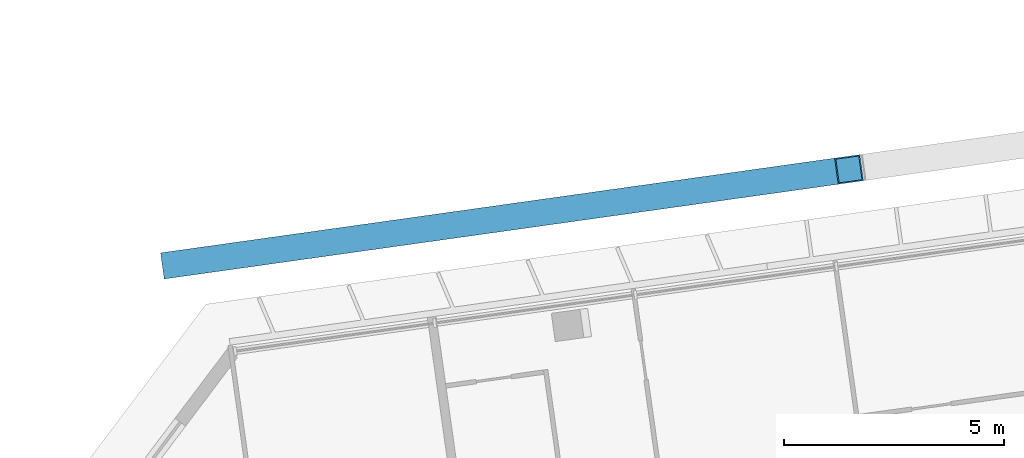
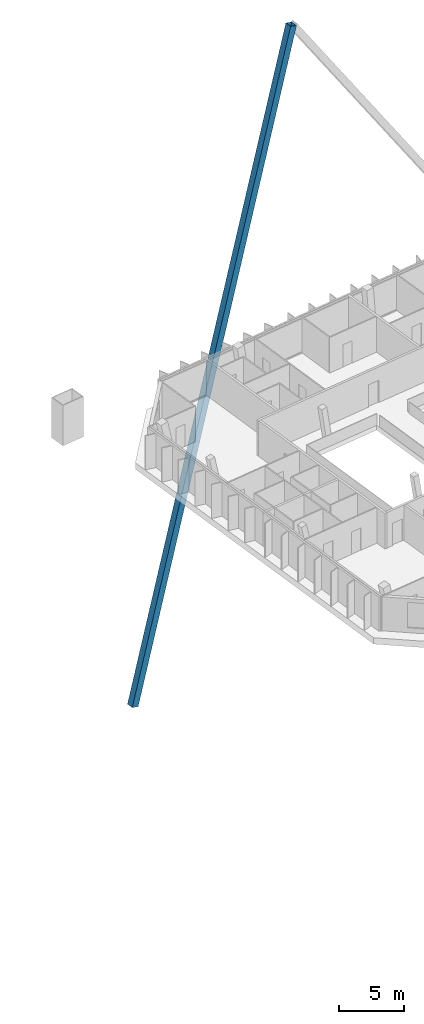
# One storey, part 14 of 28: 1 member.
"""IFC4 building model written with IfcOpenShell, lengths in metres."""

from ifc_helpers import new_model, si_unit, direction, frame, origin, origin_2d, place, context, subcontext, project, spatial, hollow_rectangle, extrude, material, material_profile, profile_set, type_object, element, save


model = new_model("IFC4")

# Units and contexts
model_context = context("Model", 3, precision=1e-05, world=origin(), true_north=direction((0.0, 1.0)))
body_context = subcontext(model_context, "Body", "Model", "MODEL_VIEW")
ifc_project = project(units=[si_unit("LENGTHUNIT", "METRE"), si_unit("AREAUNIT", "SQUARE_METRE"), si_unit("VOLUMEUNIT", "CUBIC_METRE"), si_unit("PLANEANGLEUNIT", "RADIAN"), si_unit("MASSUNIT", "GRAM", prefix="KILO")], contexts=[model_context])

# Site, building, storey
site_placement = place(None, origin())
site = spatial("IfcSite", under=ifc_project, at=site_placement, CompositionType="ELEMENT")
building_placement = place(site_placement, origin())
building = spatial("IfcBuilding", under=site, at=building_placement, Name="Mirante Cascada Hotel Towers", CompositionType="ELEMENT")
storey_placement = place(building_placement, frame((0.0, 0.0, 243.2)))
storey = spatial("IfcBuildingStorey", under=building, at=storey_placement, Name="L58", CompositionType="ELEMENT", Elevation=243.2)

# Member
ifc_material = material(Name="Steel ASTM A572 Gr 50", Category="steel")
ifc_material_profile = material_profile(ifc_material, hollow_rectangle(XDim=0.6, YDim=0.6, WallThickness=0.028, at=origin_2d()), Name="Box brace 600x600x28 ASTM A572 Gr 50")
ifc_profile_set = profile_set([ifc_material_profile], Name="Steel ASTM A572 Gr 50")
member_type = type_object("IfcMemberType", Name="Box brace 600x600x28 ASTM A572 Gr 50", PredefinedType="BRACE", material=ifc_profile_set)
member_placement = place(storey_placement, frame((20.6057, 17.8861, -27.9783), z_axis=(0.2579311, 0.0362492, 0.9654831), x_axis=(-0.1391707, 0.9902684, 0.0)))
element("IfcMember", 1, at=member_placement, inside=storey, type_object=member_type, Name="brace T2 L58 1", PredefinedType="BRACE", context=body_context, shape_type="SweptSolid", body=[
    extrude(hollow_rectangle(XDim=0.6, YDim=0.6, WallThickness=0.028, at=origin_2d()), origin(), (0.0, 0.0, 1.0), 59.4523),
])

save(model, "model.ifc")
